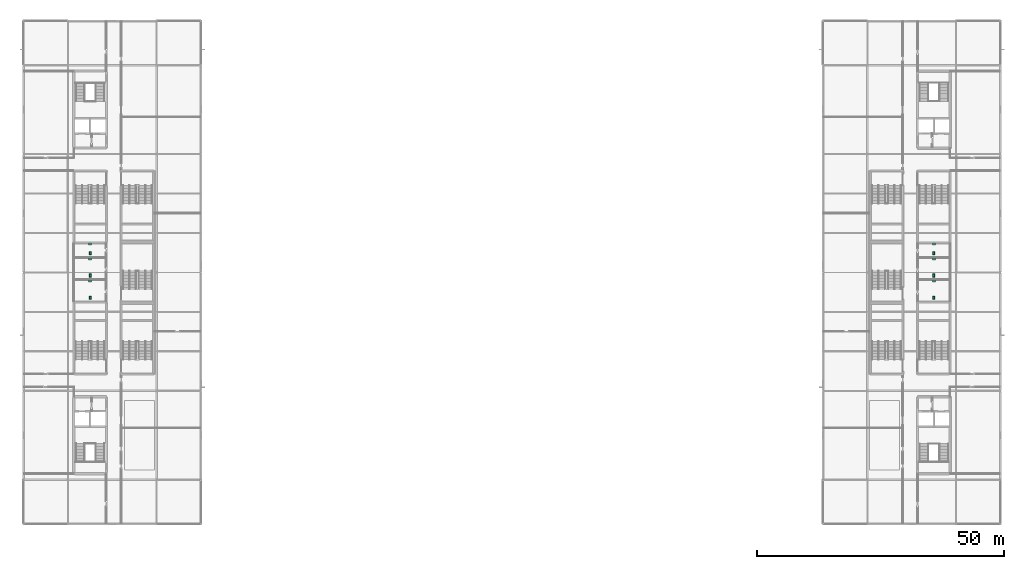
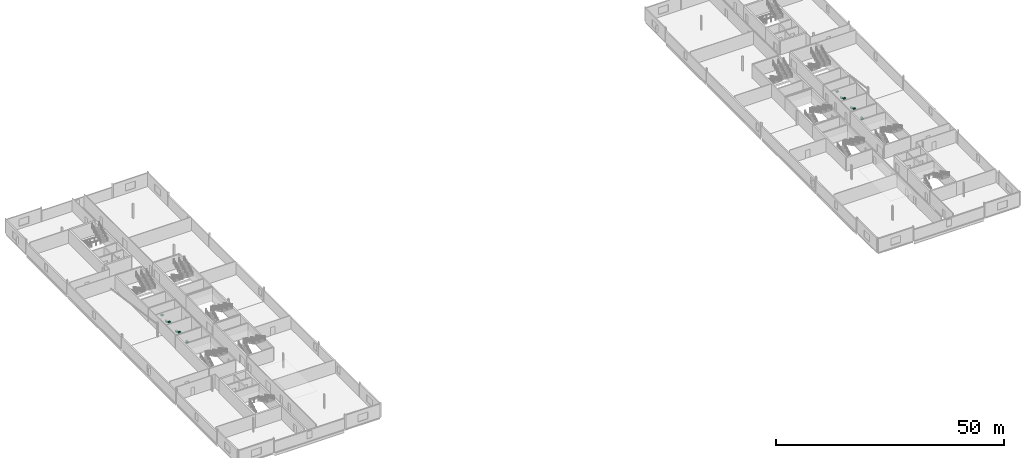
# One storey, part 31 of 31: 12 sanitary terminals.
"""IFC4 building model written with IfcOpenShell, lengths in metres."""

from ifc_helpers import new_model, si_unit, direction, frame, origin, origin_2d, place, context, subcontext, project, spatial, rectangle, extrude, material, type_object, element, save


model = new_model("IFC4")

# Units and contexts
model_context = context("Model", 3, precision=1e-05, world=origin(), true_north=direction((0.0, 1.0)))
body_context = subcontext(model_context, "Body", "Model", "MODEL_VIEW")
ifc_project = project(units=[si_unit("LENGTHUNIT", "METRE"), si_unit("AREAUNIT", "SQUARE_METRE"), si_unit("VOLUMEUNIT", "CUBIC_METRE"), si_unit("PLANEANGLEUNIT", "RADIAN"), si_unit("MASSUNIT", "GRAM", prefix="KILO")], contexts=[model_context])

# Site, building, storey
site_placement = place(None, origin())
site = spatial("IfcSite", under=ifc_project, at=site_placement, CompositionType="ELEMENT")
building_placement = place(site_placement, origin())
building = spatial("IfcBuilding", under=site, at=building_placement, Name="Kisiwana Market Hall", CompositionType="ELEMENT")
storey_placement = place(building_placement, frame((0.0, 0.0, 45.60009765625)))
storey = spatial("IfcBuildingStorey", under=building, at=storey_placement, Name="L10", CompositionType="ELEMENT", Elevation=45.60009765625)

# Sanitary terminals
ifc_material_1 = material(Name="Vitreous china")
sanitary_terminal_type_1 = type_object("IfcSanitaryTerminalType", Name="SAN-BASIN", PredefinedType="WASHHANDBASIN", material=ifc_material_1)
for number, where, z_axis, x_axis, name in (
    (1, (13.5, 58.25, 0.6796875), (0.0, 0.0, 1.0), (1.0, 0.0, 0.0), "Washhand basin L10-0067"),
    (2, (13.5, 62.75, 0.6796875), (0.0, 0.0, 1.0), (1.0, 0.0, 0.0), "Washhand basin L10-0068"),
    (3, (13.5, 65.75, 0.6796875), (0.0, 0.0, 1.0), (1.0, 0.0, 0.0), "Washhand basin L10-0069"),
    (4, (184.5, 58.25, 0.6796875), (0.0, 0.0, 1.0), (1.0, 0.0, 0.0), "Washhand basin L10-0070"),
    (5, (184.5, 62.75, 0.6796875), (0.0, 0.0, 1.0), (1.0, 0.0, 0.0), "Washhand basin L10-0071"),
    (6, (184.5, 65.75, 0.6796875), (0.0, 0.0, 1.0), (1.0, 0.0, 0.0), "Washhand basin L10-0072"),
):
    element("IfcSanitaryTerminal", number, at=place(storey_placement, frame(where, z_axis=z_axis, x_axis=x_axis)), inside=storey, type_object=sanitary_terminal_type_1, Name=name, PredefinedType="WASHHANDBASIN", context=body_context, shape_type="SweptSolid", body=[
        extrude(rectangle(XDim=0.550048828125, YDim=0.449951171875, at=origin_2d()), origin(), (0.0, 0.0, 1.0), 0.199951171875),
    ])
ifc_material_2 = material(Name="Vitreous china")
sanitary_terminal_type_2 = type_object("IfcSanitaryTerminalType", Name="SAN-WC-PAN", PredefinedType="TOILETPAN", material=ifc_material_2)
for number, where, z_axis, x_axis, name in (
    (7, (13.5, 54.89990234375, 0.0), (0.0, 0.0, 1.0), (1.0, 0.0, 0.0), "WC pan L10-0067"),
    (8, (13.5, 59.39990234375, 0.0), (0.0, 0.0, 1.0), (1.0, 0.0, 0.0), "WC pan L10-0068"),
    (9, (13.5, 63.89990234375, 0.0), (0.0, 0.0, 1.0), (1.0, 0.0, 0.0), "WC pan L10-0069"),
    (10, (184.5, 54.89990234375, 0.0), (0.0, 0.0, 1.0), (1.0, 0.0, 0.0), "WC pan L10-0070"),
    (11, (184.5, 59.39990234375, 0.0), (0.0, 0.0, 1.0), (1.0, 0.0, 0.0), "WC pan L10-0071"),
    (12, (184.5, 63.89990234375, 0.0), (0.0, 0.0, 1.0), (1.0, 0.0, 0.0), "WC pan L10-0072"),
):
    element("IfcSanitaryTerminal", number, at=place(storey_placement, frame(where, z_axis=z_axis, x_axis=x_axis)), inside=storey, type_object=sanitary_terminal_type_2, Name=name, PredefinedType="TOILETPAN", context=body_context, shape_type="SweptSolid", body=[
        extrude(rectangle(XDim=0.39990234375, YDim=0.64990234375, at=origin_2d()), origin(), (0.0, 0.0, 1.0), 0.419921875),
    ])

save(model, "model.ifc")
